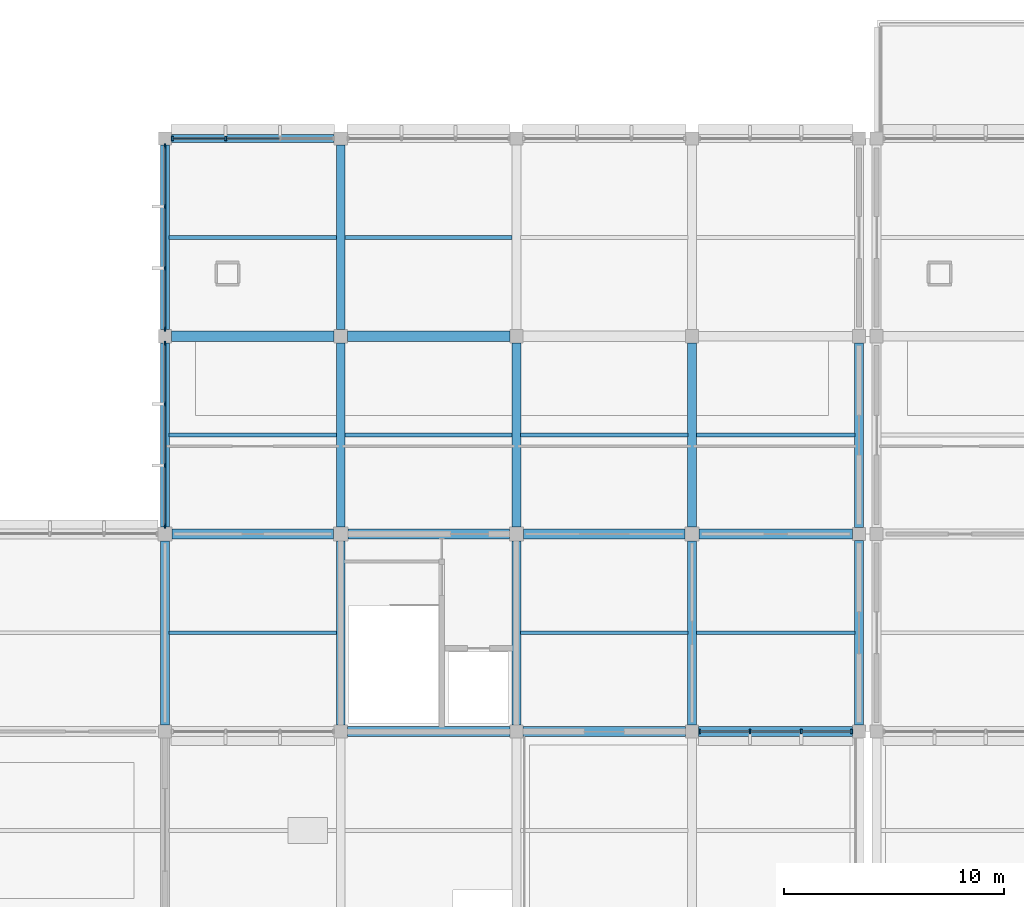
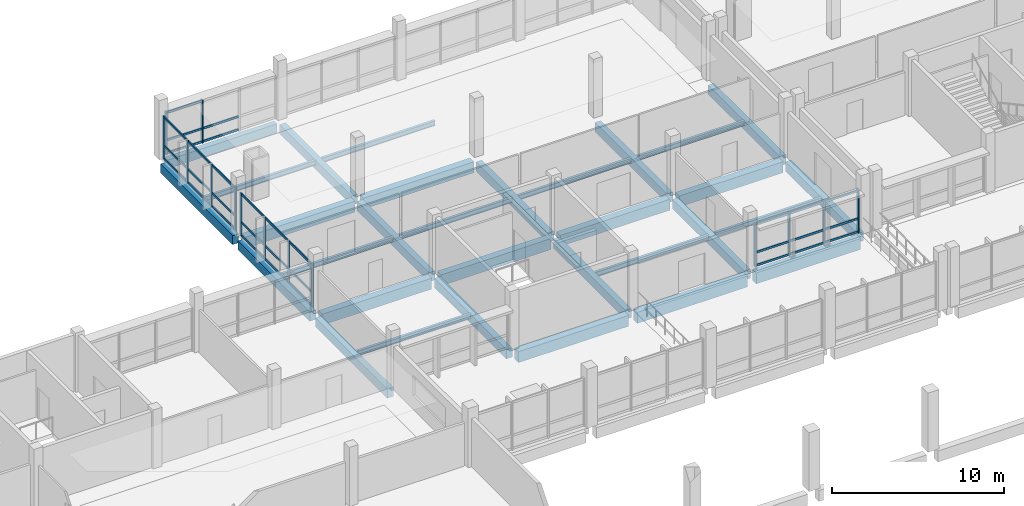
# One storey, part 21 of 70: 46 members, 31 beams, 4 elements without a shape of their own.
"""IFC4 building model written with IfcOpenShell, lengths in metres."""

from ifc_helpers import new_model, si_unit, direction, frame, origin, origin_2d, place, context, subcontext, project, spatial, rectangle, i_section, extrude, material, material_profile, profile_set, type_object, element, aggregate, save


model = new_model("IFC4")

# Units and contexts
model_context = context("Model", 3, precision=1e-05, world=origin(), true_north=direction((0.0, 1.0)))
body_context = subcontext(model_context, "Body", "Model", "MODEL_VIEW")
ifc_project = project(units=[si_unit("LENGTHUNIT", "METRE"), si_unit("AREAUNIT", "SQUARE_METRE"), si_unit("VOLUMEUNIT", "CUBIC_METRE"), si_unit("PLANEANGLEUNIT", "RADIAN"), si_unit("MASSUNIT", "GRAM", prefix="KILO"), si_unit("THERMODYNAMICTEMPERATUREUNIT", "KELVIN"), si_unit("POWERUNIT", "WATT")], contexts=[model_context])

# Site, building, storey
site_placement = place(None, origin())
site = spatial("IfcSite", under=ifc_project, at=site_placement, CompositionType="ELEMENT")
building_placement = place(site_placement, origin())
building = spatial("IfcBuilding", under=site, at=building_placement, Name="Kronsvod Quay Wholesale Market", CompositionType="ELEMENT")
storey_placement = place(building_placement, frame((0.0, 0.0, 9.0)))
storey = spatial("IfcBuildingStorey", under=building, at=storey_placement, Name="L02", CompositionType="ELEMENT", Elevation=9.0)

# Beams
ifc_material_1 = material(Name="Precast concrete C40/50", Category="concrete")
ifc_material_profile_1 = material_profile(ifc_material_1, rectangle(XDim=0.39990234375, YDim=0.64990234375, at=origin_2d()), Name="PCB400x650")
ifc_profile_set_1 = profile_set([ifc_material_profile_1], Name="Precast concrete C40/50")
beam_type_1 = type_object("IfcBeamType", Name="Beam_PCB400x650", PredefinedType="BEAM", material=ifc_profile_set_1)
for number, where, z_axis, x_axis, name in (
    (1, (32.0, 99.300048828125, -0.635009765625), (0.0, 1.0, 0.0), (-1.0, 0.0, 0.0), "BMY-L02-320-990"),
    (2, (32.0, 108.324951171875, -0.635009765625), (0.0, 1.0, 0.0), (-1.0, 0.0, 0.0), "BMY-L02-320-1080"),
):
    element("IfcBeam", number, at=place(storey_placement, frame(where, z_axis=z_axis, x_axis=x_axis)), inside=storey, type_object=beam_type_1, Name=name, PredefinedType="BEAM", context=body_context, shape_type="SweptSolid", body=[
        extrude(rectangle(XDim=0.39990234375, YDim=0.64990234375, at=origin_2d()), origin(), (0.0, 0.0, 1.0), 8.375),
    ])
beam_1_placement = place(storey_placement, frame((32.0, 117.300048828125, -0.635009765625), z_axis=(0.0, 1.0, 0.0), x_axis=(-1.0, 0.0, 0.0)))
element("IfcBeam", 3, at=beam_1_placement, inside=storey, type_object=beam_type_1, Name="BMY-L02-320-1170", PredefinedType="BEAM", context=body_context, shape_type="SweptSolid", body=[
    extrude(rectangle(XDim=0.39990234375, YDim=0.64990234375, at=origin_2d()), origin(), (0.0, 0.0, 1.0), 8.39990234375),
])
for number, where, z_axis, x_axis, name in (
    (4, (40.0, 99.300048828125, -0.635009765625), (0.0, 1.0, 0.0), (-1.0, 0.0, 0.0), "BMY-L02-400-990"),
    (5, (40.0, 108.324951171875, -0.635009765625), (0.0, 1.0, 0.0), (-1.0, 0.0, 0.0), "BMY-L02-400-1080"),
):
    element("IfcBeam", number, at=place(storey_placement, frame(where, z_axis=z_axis, x_axis=x_axis)), inside=storey, type_object=beam_type_1, Name=name, PredefinedType="BEAM", context=body_context, shape_type="SweptSolid", body=[
        extrude(rectangle(XDim=0.39990234375, YDim=0.64990234375, at=origin_2d()), origin(), (0.0, 0.0, 1.0), 8.375),
    ])
beam_2_placement = place(storey_placement, frame((40.0, 117.300048828125, -0.635009765625), z_axis=(0.0, 1.0, 0.0), x_axis=(-1.0, 0.0, 0.0)))
element("IfcBeam", 6, at=beam_2_placement, inside=storey, type_object=beam_type_1, Name="BMY-L02-400-1170", PredefinedType="BEAM", context=body_context, shape_type="SweptSolid", body=[
    extrude(rectangle(XDim=0.39990234375, YDim=0.64990234375, at=origin_2d()), origin(), (0.0, 0.0, 1.0), 8.39990234375),
])
for number, where, z_axis, x_axis, name in (
    (7, (48.0, 99.300048828125, -0.635009765625), (0.0, 1.0, 0.0), (-1.0, 0.0, 0.0), "BMY-L02-480-990"),
    (8, (48.0, 108.324951171875, -0.635009765625), (0.0, 1.0, 0.0), (-1.0, 0.0, 0.0), "BMY-L02-480-1080"),
    (9, (56.0, 99.300048828125, -0.635009765625), (0.0, 1.0, 0.0), (-1.0, 0.0, 0.0), "BMY-L02-560-990"),
    (10, (56.0, 108.324951171875, -0.635009765625), (0.0, 1.0, 0.0), (-1.0, 0.0, 0.0), "BMY-L02-560-1080"),
):
    element("IfcBeam", number, at=place(storey_placement, frame(where, z_axis=z_axis, x_axis=x_axis)), inside=storey, type_object=beam_type_1, Name=name, PredefinedType="BEAM", context=body_context, shape_type="SweptSolid", body=[
        extrude(rectangle(XDim=0.39990234375, YDim=0.64990234375, at=origin_2d()), origin(), (0.0, 0.0, 1.0), 8.375),
    ])
for number, where, z_axis, x_axis, name in (
    (11, (63.60009765625, 99.300048828125, -0.635009765625), (0.0, 1.0, 0.0), (-1.0, 0.0, 0.0), "BMY-L02-636-990"),
    (12, (63.60009765625, 108.300048828125, -0.635009765625), (0.0, 1.0, 0.0), (-1.0, 0.0, 0.0), "BMY-L02-636-1080"),
):
    element("IfcBeam", number, at=place(storey_placement, frame(where, z_axis=z_axis, x_axis=x_axis)), inside=storey, type_object=beam_type_1, Name=name, PredefinedType="BEAM", context=body_context, shape_type="SweptSolid", body=[
        extrude(rectangle(XDim=0.39990234375, YDim=0.64990234375, at=origin_2d()), origin(), (0.0, 0.0, 1.0), 8.39990234375),
    ])
ifc_material_2 = material(Name="Precast concrete C40/50", Category="concrete")
ifc_material_profile_2 = material_profile(ifc_material_2, rectangle(XDim=0.4599609375, YDim=0.780029296875, at=origin_2d()), Name="PB-03")
ifc_profile_set_2 = profile_set([ifc_material_profile_2], Name="Precast concrete C40/50")
beam_type_2 = type_object("IfcBeamType", Name="Beam_PCB460x780", PredefinedType="BEAM", material=ifc_profile_set_2)
for number, where, z_axis, x_axis, name in (
    (13, (40.300048828125, 99.0, -0.699951171875), (1.0, 0.0, 0.0), (0.0, 1.0, 0.0), "BMX-L02-400-990"),
    (14, (48.300048828125, 99.0, -0.699951171875), (1.0, 0.0, 0.0), (0.0, 1.0, 0.0), "BMX-L02-480-990"),
):
    element("IfcBeam", number, at=place(storey_placement, frame(where, z_axis=z_axis, x_axis=x_axis)), inside=storey, type_object=beam_type_2, Name=name, PredefinedType="BEAM", context=body_context, shape_type="SweptSolid", body=[
        extrude(rectangle(XDim=0.4599609375, YDim=0.780029296875, at=origin_2d()), origin(), (0.0, 0.0, 1.0), 7.39990234375),
    ])
beam_3_placement = place(storey_placement, frame((56.300048828125, 99.0, -0.699951171875), z_axis=(1.0, 0.0, 0.0), x_axis=(0.0, 1.0, 0.0)))
element("IfcBeam", 15, at=beam_3_placement, inside=storey, type_object=beam_type_2, Name="BMX-L02-560-990", PredefinedType="BEAM", context=body_context, shape_type="SweptSolid", body=[
    extrude(rectangle(XDim=0.4599609375, YDim=0.780029296875, at=origin_2d()), origin(), (0.0, 0.0, 1.0), 7.0),
])
for number, where, z_axis, x_axis, name in (
    (16, (32.324951171875, 108.0, -0.699951171875), (1.0, 0.0, 0.0), (0.0, 1.0, 0.0), "BMX-L02-320-1080"),
    (17, (40.324951171875, 108.0, -0.699951171875), (1.0, 0.0, 0.0), (0.0, 1.0, 0.0), "BMX-L02-400-1080"),
    (18, (48.324951171875, 108.0, -0.699951171875), (1.0, 0.0, 0.0), (0.0, 1.0, 0.0), "BMX-L02-480-1080"),
):
    element("IfcBeam", number, at=place(storey_placement, frame(where, z_axis=z_axis, x_axis=x_axis)), inside=storey, type_object=beam_type_2, Name=name, PredefinedType="BEAM", context=body_context, shape_type="SweptSolid", body=[
        extrude(rectangle(XDim=0.4599609375, YDim=0.780029296875, at=origin_2d()), origin(), (0.0, 0.0, 1.0), 7.35009765625),
    ])
beam_4_placement = place(storey_placement, frame((56.324951171875, 108.0, -0.699951171875), z_axis=(1.0, 0.0, 0.0), x_axis=(0.0, 1.0, 0.0)))
element("IfcBeam", 19, at=beam_4_placement, inside=storey, type_object=beam_type_2, Name="BMX-L02-560-1080", PredefinedType="BEAM", context=body_context, shape_type="SweptSolid", body=[
    extrude(rectangle(XDim=0.4599609375, YDim=0.780029296875, at=origin_2d()), origin(), (0.0, 0.0, 1.0), 6.97509765625),
])
for number, where, z_axis, x_axis, name in (
    (20, (32.300048828125, 117.0, -0.699951171875), (1.0, 0.0, 0.0), (0.0, 1.0, 0.0), "BMX-L02-320-1170"),
    (21, (40.300048828125, 117.0, -0.699951171875), (1.0, 0.0, 0.0), (0.0, 1.0, 0.0), "BMX-L02-400-1170"),
):
    element("IfcBeam", number, at=place(storey_placement, frame(where, z_axis=z_axis, x_axis=x_axis)), inside=storey, type_object=beam_type_2, Name=name, PredefinedType="BEAM", context=body_context, shape_type="SweptSolid", body=[
        extrude(rectangle(XDim=0.4599609375, YDim=0.780029296875, at=origin_2d()), origin(), (0.0, 0.0, 1.0), 7.39990234375),
    ])
ifc_material_3 = material(Name="Steel S355", Category="steel")
ifc_material_profile_3 = material_profile(ifc_material_3, i_section(OverallWidth=0.174072265625, OverallDepth=0.345947265625, WebThickness=0.006103515625, FlangeThickness=0.009033203125, FilletRadius=0.013916015625, at=origin_2d()), Name="35B1")
ifc_profile_set_3 = profile_set([ifc_material_profile_3], Name="Steel S355")
beam_type_3 = type_object("IfcBeamType", Name="Joist_Steel35B1", PredefinedType="JOIST", material=ifc_profile_set_3)
for number, where, z_axis, x_axis, name in (
    (22, (32.195068359375, 103.5, -0.423095703125), (1.0, 0.0, 0.0), (0.0, 1.0, 0.0), "JSTX-L02-320-990"),
    (23, (32.195068359375, 112.5, -0.423095703125), (1.0, 0.0, 0.0), (0.0, 1.0, 0.0), "JSTX-L02-320-1080"),
    (24, (32.195068359375, 121.5, -0.423095703125), (1.0, 0.0, 0.0), (0.0, 1.0, 0.0), "JSTX-L02-320-1170"),
    (25, (40.195068359375, 112.5, -0.423095703125), (1.0, 0.0, 0.0), (0.0, 1.0, 0.0), "JSTX-L02-400-1080"),
    (26, (40.195068359375, 121.5, -0.423095703125), (1.0, 0.0, 0.0), (0.0, 1.0, 0.0), "JSTX-L02-400-1170"),
    (27, (48.195068359375, 103.5, -0.423095703125), (1.0, 0.0, 0.0), (0.0, 1.0, 0.0), "JSTX-L02-480-990"),
    (28, (48.195068359375, 112.5, -0.423095703125), (1.0, 0.0, 0.0), (0.0, 1.0, 0.0), "JSTX-L02-480-1080"),
):
    element("IfcBeam", number, at=place(storey_placement, frame(where, z_axis=z_axis, x_axis=x_axis)), inside=storey, type_object=beam_type_3, Name=name, PredefinedType="JOIST", context=body_context, shape_type="SweptSolid", body=[
        extrude(i_section(OverallWidth=0.174072265625, OverallDepth=0.345947265625, WebThickness=0.006103515625, FlangeThickness=0.009033203125, FilletRadius=0.013916015625, at=origin_2d()), origin(), (0.0, 0.0, 1.0), 7.60986328125),
    ])
for number, where, z_axis, x_axis, name in (
    (29, (56.195068359375, 103.5, -0.423095703125), (1.0, 0.0, 0.0), (0.0, 1.0, 0.0), "JSTX-L02-560-990"),
    (30, (56.195068359375, 112.5, -0.423095703125), (1.0, 0.0, 0.0), (0.0, 1.0, 0.0), "JSTX-L02-560-1080"),
):
    element("IfcBeam", number, at=place(storey_placement, frame(where, z_axis=z_axis, x_axis=x_axis)), inside=storey, type_object=beam_type_3, Name=name, PredefinedType="JOIST", context=body_context, shape_type="SweptSolid", body=[
        extrude(i_section(OverallWidth=0.174072265625, OverallDepth=0.345947265625, WebThickness=0.006103515625, FlangeThickness=0.009033203125, FilletRadius=0.013916015625, at=origin_2d()), origin(), (0.0, 0.0, 1.0), 7.2099609375),
    ])

# Curtain wall, members
ifc_material_4 = material(Name="Thermally broken aluminium and triple low-E glazing", Category="aluminium")
curtain_wall_type_1 = type_object("IfcCurtainWallType", Name="CW_Harbour80x33", PredefinedType="NOTDEFINED", material=ifc_material_4)
curtain_wall_1_placement = place(storey_placement, origin())
curtain_wall_1 = element("IfcCurtainWall", 31, at=curtain_wall_1_placement, inside=storey, type_object=curtain_wall_type_1, Name="CWGX-L02-560-990", PredefinedType="NOTDEFINED")
ifc_material_5 = material(Name="Anodised aluminium", Category="aluminium")
ifc_material_profile_4 = material_profile(ifc_material_5, rectangle(XDim=0.074951171875, YDim=0.199951171875, at=origin_2d()), Name="ALUM75x200")
ifc_profile_set_4 = profile_set([ifc_material_profile_4], Name="Anodised aluminium")
member_type_1 = type_object("IfcMemberType", Name="Mullion_ALU75x200", PredefinedType="MULLION", material=ifc_profile_set_4)
member_1_placement = place(storey_placement, frame((56.33251953125, 99.0, 0.0), z_axis=(0.0, 0.0, 1.0), x_axis=(1.0, 0.0, 0.0)))
member_1 = element("IfcMember", 32, at=member_1_placement, type_object=member_type_1, Name="CWGX-L02-560-990-M1", PredefinedType="MULLION", context=body_context, shape_type="SweptSolid", body=[
    extrude(rectangle(XDim=0.074951171875, YDim=0.199951171875, at=origin_2d()), origin(), (0.0, 0.0, 1.0), 3.050048828125),
])
member_2_placement = place(storey_placement, frame((58.631591796875, 99.0, 0.0), z_axis=(0.0, 0.0, 1.0), x_axis=(1.0, 0.0, 0.0)))
member_2 = element("IfcMember", 33, at=member_2_placement, type_object=member_type_1, Name="CWGX-L02-560-990-M2", PredefinedType="MULLION", context=body_context, shape_type="SweptSolid", body=[
    extrude(rectangle(XDim=0.074951171875, YDim=0.199951171875, at=origin_2d()), origin(), (0.0, 0.0, 1.0), 3.050048828125),
])
member_3_placement = place(storey_placement, frame((60.96826171875, 99.0, 0.0), z_axis=(0.0, 0.0, 1.0), x_axis=(1.0, 0.0, 0.0)))
member_3 = element("IfcMember", 34, at=member_3_placement, type_object=member_type_1, Name="CWGX-L02-560-990-M3", PredefinedType="MULLION", context=body_context, shape_type="SweptSolid", body=[
    extrude(rectangle(XDim=0.074951171875, YDim=0.199951171875, at=origin_2d()), origin(), (0.0, 0.0, 1.0), 3.050048828125),
])
member_4_placement = place(storey_placement, frame((63.267578125, 99.0, 0.0), z_axis=(0.0, 0.0, 1.0), x_axis=(1.0, 0.0, 0.0)))
member_4 = element("IfcMember", 35, at=member_4_placement, type_object=member_type_1, Name="CWGX-L02-560-990-M4", PredefinedType="MULLION", context=body_context, shape_type="SweptSolid", body=[
    extrude(rectangle(XDim=0.074951171875, YDim=0.199951171875, at=origin_2d()), origin(), (0.0, 0.0, 1.0), 3.050048828125),
])

curtain_wall_2_placement = place(storey_placement, origin())
curtain_wall_2 = element("IfcCurtainWall", 36, at=curtain_wall_2_placement, inside=storey, type_object=curtain_wall_type_1, Name="CWGX-L02-320-1260", PredefinedType="NOTDEFINED")
member_5_placement = place(storey_placement, frame((34.764892578125, 126.0, 0.0), z_axis=(0.0, 0.0, 1.0), x_axis=(1.0, 0.0, 0.0)))
member_5 = element("IfcMember", 37, at=member_5_placement, type_object=member_type_1, Name="CWGX-L02-320-1260-M3", PredefinedType="MULLION", context=body_context, shape_type="SweptSolid", body=[
    extrude(rectangle(XDim=0.074951171875, YDim=0.199951171875, at=origin_2d()), origin(), (0.0, 0.0, 1.0), 3.050048828125),
])
member_6_placement = place(storey_placement, frame((32.33251953125, 126.0, 0.0), z_axis=(0.0, 0.0, 1.0), x_axis=(1.0, 0.0, 0.0)))
member_6 = element("IfcMember", 38, at=member_6_placement, type_object=member_type_1, Name="CWGX-L02-320-1260-M4", PredefinedType="MULLION", context=body_context, shape_type="SweptSolid", body=[
    extrude(rectangle(XDim=0.074951171875, YDim=0.199951171875, at=origin_2d()), origin(), (0.0, 0.0, 1.0), 3.050048828125),
])

ifc_material_6 = material(Name="Thermally broken aluminium and triple low-E glazing", Category="aluminium")
curtain_wall_type_2 = type_object("IfcCurtainWallType", Name="CW_Wing90x33", PredefinedType="NOTDEFINED", material=ifc_material_6)
curtain_wall_3_placement = place(storey_placement, origin())
curtain_wall_3 = element("IfcCurtainWall", 39, at=curtain_wall_3_placement, inside=storey, type_object=curtain_wall_type_2, Name="CWGY-L02-320-1080", PredefinedType="NOTDEFINED")
member_7_placement = place(storey_placement, frame((32.0, 116.66748046875, 0.0), z_axis=(0.0, 0.0, 1.0), x_axis=(1.0, 0.0, 0.0)))
member_7 = element("IfcMember", 40, at=member_7_placement, type_object=member_type_1, Name="CWGY-L02-320-1080-M1", PredefinedType="MULLION", context=body_context, shape_type="SweptSolid", body=[
    extrude(rectangle(XDim=0.074951171875, YDim=0.199951171875, at=origin_2d()), origin(), (0.0, 0.0, 1.0), 3.050048828125),
])
member_8_placement = place(storey_placement, frame((32.0, 113.909912109375, 0.0), z_axis=(0.0, 0.0, 1.0), x_axis=(1.0, 0.0, 0.0)))
member_8 = element("IfcMember", 41, at=member_8_placement, type_object=member_type_1, Name="CWGY-L02-320-1080-M2", PredefinedType="MULLION", context=body_context, shape_type="SweptSolid", body=[
    extrude(rectangle(XDim=0.074951171875, YDim=0.199951171875, at=origin_2d()), origin(), (0.0, 0.0, 1.0), 3.050048828125),
])
member_9_placement = place(storey_placement, frame((32.0, 111.114990234375, 0.0), z_axis=(0.0, 0.0, 1.0), x_axis=(1.0, 0.0, 0.0)))
member_9 = element("IfcMember", 42, at=member_9_placement, type_object=member_type_1, Name="CWGY-L02-320-1080-M3", PredefinedType="MULLION", context=body_context, shape_type="SweptSolid", body=[
    extrude(rectangle(XDim=0.074951171875, YDim=0.199951171875, at=origin_2d()), origin(), (0.0, 0.0, 1.0), 3.050048828125),
])
member_10_placement = place(storey_placement, frame((32.0, 108.357421875, 0.0), z_axis=(0.0, 0.0, 1.0), x_axis=(1.0, 0.0, 0.0)))
member_10 = element("IfcMember", 43, at=member_10_placement, type_object=member_type_1, Name="CWGY-L02-320-1080-M4", PredefinedType="MULLION", context=body_context, shape_type="SweptSolid", body=[
    extrude(rectangle(XDim=0.074951171875, YDim=0.199951171875, at=origin_2d()), origin(), (0.0, 0.0, 1.0), 3.050048828125),
])

curtain_wall_4_placement = place(storey_placement, origin())
curtain_wall_4 = element("IfcCurtainWall", 44, at=curtain_wall_4_placement, inside=storey, type_object=curtain_wall_type_2, Name="CWGY-L02-320-1170", PredefinedType="NOTDEFINED")
member_11_placement = place(storey_placement, frame((32.0, 125.66748046875, 0.0), z_axis=(0.0, 0.0, 1.0), x_axis=(1.0, 0.0, 0.0)))
member_11 = element("IfcMember", 45, at=member_11_placement, type_object=member_type_1, Name="CWGY-L02-320-1170-M1", PredefinedType="MULLION", context=body_context, shape_type="SweptSolid", body=[
    extrude(rectangle(XDim=0.074951171875, YDim=0.199951171875, at=origin_2d()), origin(), (0.0, 0.0, 1.0), 3.050048828125),
])
member_12_placement = place(storey_placement, frame((32.0, 122.901611328125, 0.0), z_axis=(0.0, 0.0, 1.0), x_axis=(1.0, 0.0, 0.0)))
member_12 = element("IfcMember", 46, at=member_12_placement, type_object=member_type_1, Name="CWGY-L02-320-1170-M2", PredefinedType="MULLION", context=body_context, shape_type="SweptSolid", body=[
    extrude(rectangle(XDim=0.074951171875, YDim=0.199951171875, at=origin_2d()), origin(), (0.0, 0.0, 1.0), 3.050048828125),
])
member_13_placement = place(storey_placement, frame((32.0, 120.098388671875, 0.0), z_axis=(0.0, 0.0, 1.0), x_axis=(1.0, 0.0, 0.0)))
member_13 = element("IfcMember", 47, at=member_13_placement, type_object=member_type_1, Name="CWGY-L02-320-1170-M3", PredefinedType="MULLION", context=body_context, shape_type="SweptSolid", body=[
    extrude(rectangle(XDim=0.074951171875, YDim=0.199951171875, at=origin_2d()), origin(), (0.0, 0.0, 1.0), 3.050048828125),
])
member_14_placement = place(storey_placement, frame((32.0, 117.33251953125, 0.0), z_axis=(0.0, 0.0, 1.0), x_axis=(1.0, 0.0, 0.0)))
member_14 = element("IfcMember", 48, at=member_14_placement, type_object=member_type_1, Name="CWGY-L02-320-1170-M4", PredefinedType="MULLION", context=body_context, shape_type="SweptSolid", body=[
    extrude(rectangle(XDim=0.074951171875, YDim=0.199951171875, at=origin_2d()), origin(), (0.0, 0.0, 1.0), 3.050048828125),
])

# Beam
ifc_material_7 = material(Name="Precast concrete C40/50", Category="concrete")
ifc_material_profile_5 = material_profile(ifc_material_7, rectangle(XDim=0.360107421875, YDim=0.6201171875, at=origin_2d()), Name="SPB-02")
ifc_profile_set_5 = profile_set([ifc_material_profile_5], Name="Precast concrete C40/50")
beam_type_4 = type_object("IfcBeamType", Name="Spandrel_PCSP360x620", PredefinedType="SPANDREL", material=ifc_profile_set_5)
beam_5_placement = place(storey_placement, frame((32.300048828125, 126.0, -0.6201171875), z_axis=(1.0, 0.0, 0.0), x_axis=(0.0, 1.0, 0.0)))
element("IfcBeam", 49, at=beam_5_placement, inside=storey, type_object=beam_type_4, Name="BMX-L02-320-1260", PredefinedType="SPANDREL", context=body_context, shape_type="SweptSolid", body=[
    extrude(rectangle(XDim=0.360107421875, YDim=0.6201171875, at=origin_2d()), origin(), (0.0, 0.0, 1.0), 7.39990234375),
])

# Member
ifc_material_8 = material(Name="Anodised aluminium", Category="aluminium")
ifc_material_profile_6 = material_profile(ifc_material_8, rectangle(XDim=0.074951171875, YDim=0.14990234375, at=origin_2d()), Name="ALUT75x150")
ifc_profile_set_6 = profile_set([ifc_material_profile_6], Name="Anodised aluminium")
member_type_2 = type_object("IfcMemberType", Name="Transom_ALU75x150", PredefinedType="USERDEFINED", material=ifc_profile_set_6)
member_15_placement = place(storey_placement, frame((56.3701171875, 99.0, 0.074951171875), z_axis=(1.0, 0.0, 0.0), x_axis=(0.0, 1.0, 0.0)))
member_15 = element("IfcMember", 50, at=member_15_placement, type_object=member_type_2, Name="CWGX-L02-560-990-T1B1", ObjectType="TRANSOM", PredefinedType="USERDEFINED", context=body_context, shape_type="SweptSolid", body=[
    extrude(rectangle(XDim=0.074951171875, YDim=0.14990234375, at=origin_2d()), origin(), (0.0, 0.0, 1.0), 2.22412109375),
])

member_16_placement = place(storey_placement, frame((58.669189453125, 99.0, 0.074951171875), z_axis=(1.0, 0.0, 0.0), x_axis=(0.0, 1.0, 0.0)))
member_16 = element("IfcMember", 51, at=member_16_placement, type_object=member_type_2, Name="CWGX-L02-560-990-T1B2", ObjectType="TRANSOM", PredefinedType="USERDEFINED", context=body_context, shape_type="SweptSolid", body=[
    extrude(rectangle(XDim=0.074951171875, YDim=0.14990234375, at=origin_2d()), origin(), (0.0, 0.0, 1.0), 2.26171875),
])

member_17_placement = place(storey_placement, frame((61.005859375, 99.0, 0.074951171875), z_axis=(1.0, 0.0, 0.0), x_axis=(0.0, 1.0, 0.0)))
member_17 = element("IfcMember", 52, at=member_17_placement, type_object=member_type_2, Name="CWGX-L02-560-990-T1B3", ObjectType="TRANSOM", PredefinedType="USERDEFINED", context=body_context, shape_type="SweptSolid", body=[
    extrude(rectangle(XDim=0.074951171875, YDim=0.14990234375, at=origin_2d()), origin(), (0.0, 0.0, 1.0), 2.22412109375),
])

member_18_placement = place(storey_placement, frame((56.3701171875, 99.0, 1.0), z_axis=(1.0, 0.0, 0.0), x_axis=(0.0, 1.0, 0.0)))
member_18 = element("IfcMember", 53, at=member_18_placement, type_object=member_type_2, Name="CWGX-L02-560-990-T2B1", ObjectType="TRANSOM", PredefinedType="USERDEFINED", context=body_context, shape_type="SweptSolid", body=[
    extrude(rectangle(XDim=0.074951171875, YDim=0.14990234375, at=origin_2d()), origin(), (0.0, 0.0, 1.0), 2.22412109375),
])

member_19_placement = place(storey_placement, frame((58.669189453125, 99.0, 1.0), z_axis=(1.0, 0.0, 0.0), x_axis=(0.0, 1.0, 0.0)))
member_19 = element("IfcMember", 54, at=member_19_placement, type_object=member_type_2, Name="CWGX-L02-560-990-T2B2", ObjectType="TRANSOM", PredefinedType="USERDEFINED", context=body_context, shape_type="SweptSolid", body=[
    extrude(rectangle(XDim=0.074951171875, YDim=0.14990234375, at=origin_2d()), origin(), (0.0, 0.0, 1.0), 2.26171875),
])

member_20_placement = place(storey_placement, frame((61.005859375, 99.0, 1.0), z_axis=(1.0, 0.0, 0.0), x_axis=(0.0, 1.0, 0.0)))
member_20 = element("IfcMember", 55, at=member_20_placement, type_object=member_type_2, Name="CWGX-L02-560-990-T2B3", ObjectType="TRANSOM", PredefinedType="USERDEFINED", context=body_context, shape_type="SweptSolid", body=[
    extrude(rectangle(XDim=0.074951171875, YDim=0.14990234375, at=origin_2d()), origin(), (0.0, 0.0, 1.0), 2.22412109375),
])

member_21_placement = place(storey_placement, frame((56.3701171875, 99.0, 2.97509765625), z_axis=(1.0, 0.0, 0.0), x_axis=(0.0, 1.0, 0.0)))
member_21 = element("IfcMember", 56, at=member_21_placement, type_object=member_type_2, Name="CWGX-L02-560-990-T3B1", ObjectType="TRANSOM", PredefinedType="USERDEFINED", context=body_context, shape_type="SweptSolid", body=[
    extrude(rectangle(XDim=0.074951171875, YDim=0.14990234375, at=origin_2d()), origin(), (0.0, 0.0, 1.0), 2.22412109375),
])

member_22_placement = place(storey_placement, frame((58.669189453125, 99.0, 2.97509765625), z_axis=(1.0, 0.0, 0.0), x_axis=(0.0, 1.0, 0.0)))
member_22 = element("IfcMember", 57, at=member_22_placement, type_object=member_type_2, Name="CWGX-L02-560-990-T3B2", ObjectType="TRANSOM", PredefinedType="USERDEFINED", context=body_context, shape_type="SweptSolid", body=[
    extrude(rectangle(XDim=0.074951171875, YDim=0.14990234375, at=origin_2d()), origin(), (0.0, 0.0, 1.0), 2.26171875),
])

member_23_placement = place(storey_placement, frame((61.005859375, 99.0, 2.97509765625), z_axis=(1.0, 0.0, 0.0), x_axis=(0.0, 1.0, 0.0)))
member_23 = element("IfcMember", 58, at=member_23_placement, type_object=member_type_2, Name="CWGX-L02-560-990-T3B3", ObjectType="TRANSOM", PredefinedType="USERDEFINED", context=body_context, shape_type="SweptSolid", body=[
    extrude(rectangle(XDim=0.074951171875, YDim=0.14990234375, at=origin_2d()), origin(), (0.0, 0.0, 1.0), 2.22412109375),
])

aggregate(curtain_wall_1, [member_1, member_2, member_3, member_4, member_15, member_16, member_17, member_18, member_19, member_20, member_21, member_22, member_23])

member_24_placement = place(storey_placement, frame((37.197509765625, 126.0, 0.074951171875), z_axis=(-1.0, 0.0, 0.0), x_axis=(0.0, -1.0, 0.0)))
member_24 = element("IfcMember", 59, at=member_24_placement, type_object=member_type_2, Name="CWGX-L02-320-1260-T1B2", ObjectType="TRANSOM", PredefinedType="USERDEFINED", context=body_context, shape_type="SweptSolid", body=[
    extrude(rectangle(XDim=0.074951171875, YDim=0.14990234375, at=origin_2d()), origin(), (0.0, 0.0, 1.0), 2.39501953125),
])

member_25_placement = place(storey_placement, frame((34.7275390625, 126.0, 0.074951171875), z_axis=(-1.0, 0.0, 0.0), x_axis=(0.0, -1.0, 0.0)))
member_25 = element("IfcMember", 60, at=member_25_placement, type_object=member_type_2, Name="CWGX-L02-320-1260-T1B3", ObjectType="TRANSOM", PredefinedType="USERDEFINED", context=body_context, shape_type="SweptSolid", body=[
    extrude(rectangle(XDim=0.074951171875, YDim=0.14990234375, at=origin_2d()), origin(), (0.0, 0.0, 1.0), 2.357421875),
])

member_26_placement = place(storey_placement, frame((37.197509765625, 126.0, 1.0), z_axis=(-1.0, 0.0, 0.0), x_axis=(0.0, -1.0, 0.0)))
member_26 = element("IfcMember", 61, at=member_26_placement, type_object=member_type_2, Name="CWGX-L02-320-1260-T2B2", ObjectType="TRANSOM", PredefinedType="USERDEFINED", context=body_context, shape_type="SweptSolid", body=[
    extrude(rectangle(XDim=0.074951171875, YDim=0.14990234375, at=origin_2d()), origin(), (0.0, 0.0, 1.0), 2.39501953125),
])

member_27_placement = place(storey_placement, frame((34.7275390625, 126.0, 1.0), z_axis=(-1.0, 0.0, 0.0), x_axis=(0.0, -1.0, 0.0)))
member_27 = element("IfcMember", 62, at=member_27_placement, type_object=member_type_2, Name="CWGX-L02-320-1260-T2B3", ObjectType="TRANSOM", PredefinedType="USERDEFINED", context=body_context, shape_type="SweptSolid", body=[
    extrude(rectangle(XDim=0.074951171875, YDim=0.14990234375, at=origin_2d()), origin(), (0.0, 0.0, 1.0), 2.357421875),
])

member_28_placement = place(storey_placement, frame((34.7275390625, 126.0, 2.97509765625), z_axis=(-1.0, 0.0, 0.0), x_axis=(0.0, -1.0, 0.0)))
member_28 = element("IfcMember", 63, at=member_28_placement, type_object=member_type_2, Name="CWGX-L02-320-1260-T3B3", ObjectType="TRANSOM", PredefinedType="USERDEFINED", context=body_context, shape_type="SweptSolid", body=[
    extrude(rectangle(XDim=0.074951171875, YDim=0.14990234375, at=origin_2d()), origin(), (0.0, 0.0, 1.0), 2.357421875),
])

aggregate(curtain_wall_2, [member_5, member_6, member_24, member_25, member_26, member_27, member_28])

member_29_placement = place(storey_placement, frame((32.0, 116.6298828125, 0.074951171875), z_axis=(0.0, -1.0, 0.0), x_axis=(1.0, 0.0, 0.0)))
member_29 = element("IfcMember", 64, at=member_29_placement, type_object=member_type_2, Name="CWGY-L02-320-1080-T1B1", ObjectType="TRANSOM", PredefinedType="USERDEFINED", context=body_context, shape_type="SweptSolid", body=[
    extrude(rectangle(XDim=0.074951171875, YDim=0.14990234375, at=origin_2d()), origin(), (0.0, 0.0, 1.0), 2.682373046875),
])

member_30_placement = place(storey_placement, frame((32.0, 113.87255859375, 0.074951171875), z_axis=(0.0, -1.0, 0.0), x_axis=(1.0, 0.0, 0.0)))
member_30 = element("IfcMember", 65, at=member_30_placement, type_object=member_type_2, Name="CWGY-L02-320-1080-T1B2", ObjectType="TRANSOM", PredefinedType="USERDEFINED", context=body_context, shape_type="SweptSolid", body=[
    extrude(rectangle(XDim=0.074951171875, YDim=0.14990234375, at=origin_2d()), origin(), (0.0, 0.0, 1.0), 2.719970703125),
])

member_31_placement = place(storey_placement, frame((32.0, 111.077392578125, 0.074951171875), z_axis=(0.0, -1.0, 0.0), x_axis=(1.0, 0.0, 0.0)))
member_31 = element("IfcMember", 66, at=member_31_placement, type_object=member_type_2, Name="CWGY-L02-320-1080-T1B3", ObjectType="TRANSOM", PredefinedType="USERDEFINED", context=body_context, shape_type="SweptSolid", body=[
    extrude(rectangle(XDim=0.074951171875, YDim=0.14990234375, at=origin_2d()), origin(), (0.0, 0.0, 1.0), 2.682373046875),
])

member_32_placement = place(storey_placement, frame((32.0, 116.6298828125, 1.0), z_axis=(0.0, -1.0, 0.0), x_axis=(1.0, 0.0, 0.0)))
member_32 = element("IfcMember", 67, at=member_32_placement, type_object=member_type_2, Name="CWGY-L02-320-1080-T2B1", ObjectType="TRANSOM", PredefinedType="USERDEFINED", context=body_context, shape_type="SweptSolid", body=[
    extrude(rectangle(XDim=0.074951171875, YDim=0.14990234375, at=origin_2d()), origin(), (0.0, 0.0, 1.0), 2.682373046875),
])

member_33_placement = place(storey_placement, frame((32.0, 113.87255859375, 1.0), z_axis=(0.0, -1.0, 0.0), x_axis=(1.0, 0.0, 0.0)))
member_33 = element("IfcMember", 68, at=member_33_placement, type_object=member_type_2, Name="CWGY-L02-320-1080-T2B2", ObjectType="TRANSOM", PredefinedType="USERDEFINED", context=body_context, shape_type="SweptSolid", body=[
    extrude(rectangle(XDim=0.074951171875, YDim=0.14990234375, at=origin_2d()), origin(), (0.0, 0.0, 1.0), 2.719970703125),
])

member_34_placement = place(storey_placement, frame((32.0, 111.077392578125, 1.0), z_axis=(0.0, -1.0, 0.0), x_axis=(1.0, 0.0, 0.0)))
member_34 = element("IfcMember", 69, at=member_34_placement, type_object=member_type_2, Name="CWGY-L02-320-1080-T2B3", ObjectType="TRANSOM", PredefinedType="USERDEFINED", context=body_context, shape_type="SweptSolid", body=[
    extrude(rectangle(XDim=0.074951171875, YDim=0.14990234375, at=origin_2d()), origin(), (0.0, 0.0, 1.0), 2.682373046875),
])

member_35_placement = place(storey_placement, frame((32.0, 116.6298828125, 2.97509765625), z_axis=(0.0, -1.0, 0.0), x_axis=(1.0, 0.0, 0.0)))
member_35 = element("IfcMember", 70, at=member_35_placement, type_object=member_type_2, Name="CWGY-L02-320-1080-T3B1", ObjectType="TRANSOM", PredefinedType="USERDEFINED", context=body_context, shape_type="SweptSolid", body=[
    extrude(rectangle(XDim=0.074951171875, YDim=0.14990234375, at=origin_2d()), origin(), (0.0, 0.0, 1.0), 2.682373046875),
])

member_36_placement = place(storey_placement, frame((32.0, 113.87255859375, 2.97509765625), z_axis=(0.0, -1.0, 0.0), x_axis=(1.0, 0.0, 0.0)))
member_36 = element("IfcMember", 71, at=member_36_placement, type_object=member_type_2, Name="CWGY-L02-320-1080-T3B2", ObjectType="TRANSOM", PredefinedType="USERDEFINED", context=body_context, shape_type="SweptSolid", body=[
    extrude(rectangle(XDim=0.074951171875, YDim=0.14990234375, at=origin_2d()), origin(), (0.0, 0.0, 1.0), 2.719970703125),
])

member_37_placement = place(storey_placement, frame((32.0, 111.077392578125, 2.97509765625), z_axis=(0.0, -1.0, 0.0), x_axis=(1.0, 0.0, 0.0)))
member_37 = element("IfcMember", 72, at=member_37_placement, type_object=member_type_2, Name="CWGY-L02-320-1080-T3B3", ObjectType="TRANSOM", PredefinedType="USERDEFINED", context=body_context, shape_type="SweptSolid", body=[
    extrude(rectangle(XDim=0.074951171875, YDim=0.14990234375, at=origin_2d()), origin(), (0.0, 0.0, 1.0), 2.682373046875),
])

aggregate(curtain_wall_3, [member_7, member_8, member_9, member_10, member_29, member_30, member_31, member_32, member_33, member_34, member_35, member_36, member_37])

member_38_placement = place(storey_placement, frame((32.0, 125.6298828125, 0.074951171875), z_axis=(0.0, -1.0, 0.0), x_axis=(1.0, 0.0, 0.0)))
member_38 = element("IfcMember", 73, at=member_38_placement, type_object=member_type_2, Name="CWGY-L02-320-1170-T1B1", ObjectType="TRANSOM", PredefinedType="USERDEFINED", context=body_context, shape_type="SweptSolid", body=[
    extrude(rectangle(XDim=0.074951171875, YDim=0.14990234375, at=origin_2d()), origin(), (0.0, 0.0, 1.0), 2.690673828125),
])

member_39_placement = place(storey_placement, frame((32.0, 122.8642578125, 0.074951171875), z_axis=(0.0, -1.0, 0.0), x_axis=(1.0, 0.0, 0.0)))
member_39 = element("IfcMember", 74, at=member_39_placement, type_object=member_type_2, Name="CWGY-L02-320-1170-T1B2", ObjectType="TRANSOM", PredefinedType="USERDEFINED", context=body_context, shape_type="SweptSolid", body=[
    extrude(rectangle(XDim=0.074951171875, YDim=0.14990234375, at=origin_2d()), origin(), (0.0, 0.0, 1.0), 2.728515625),
])

member_40_placement = place(storey_placement, frame((32.0, 120.060791015625, 0.074951171875), z_axis=(0.0, -1.0, 0.0), x_axis=(1.0, 0.0, 0.0)))
member_40 = element("IfcMember", 75, at=member_40_placement, type_object=member_type_2, Name="CWGY-L02-320-1170-T1B3", ObjectType="TRANSOM", PredefinedType="USERDEFINED", context=body_context, shape_type="SweptSolid", body=[
    extrude(rectangle(XDim=0.074951171875, YDim=0.14990234375, at=origin_2d()), origin(), (0.0, 0.0, 1.0), 2.690673828125),
])

member_41_placement = place(storey_placement, frame((32.0, 125.6298828125, 1.0), z_axis=(0.0, -1.0, 0.0), x_axis=(1.0, 0.0, 0.0)))
member_41 = element("IfcMember", 76, at=member_41_placement, type_object=member_type_2, Name="CWGY-L02-320-1170-T2B1", ObjectType="TRANSOM", PredefinedType="USERDEFINED", context=body_context, shape_type="SweptSolid", body=[
    extrude(rectangle(XDim=0.074951171875, YDim=0.14990234375, at=origin_2d()), origin(), (0.0, 0.0, 1.0), 2.690673828125),
])

member_42_placement = place(storey_placement, frame((32.0, 122.8642578125, 1.0), z_axis=(0.0, -1.0, 0.0), x_axis=(1.0, 0.0, 0.0)))
member_42 = element("IfcMember", 77, at=member_42_placement, type_object=member_type_2, Name="CWGY-L02-320-1170-T2B2", ObjectType="TRANSOM", PredefinedType="USERDEFINED", context=body_context, shape_type="SweptSolid", body=[
    extrude(rectangle(XDim=0.074951171875, YDim=0.14990234375, at=origin_2d()), origin(), (0.0, 0.0, 1.0), 2.728515625),
])

member_43_placement = place(storey_placement, frame((32.0, 120.060791015625, 1.0), z_axis=(0.0, -1.0, 0.0), x_axis=(1.0, 0.0, 0.0)))
member_43 = element("IfcMember", 78, at=member_43_placement, type_object=member_type_2, Name="CWGY-L02-320-1170-T2B3", ObjectType="TRANSOM", PredefinedType="USERDEFINED", context=body_context, shape_type="SweptSolid", body=[
    extrude(rectangle(XDim=0.074951171875, YDim=0.14990234375, at=origin_2d()), origin(), (0.0, 0.0, 1.0), 2.690673828125),
])

member_44_placement = place(storey_placement, frame((32.0, 125.6298828125, 2.97509765625), z_axis=(0.0, -1.0, 0.0), x_axis=(1.0, 0.0, 0.0)))
member_44 = element("IfcMember", 79, at=member_44_placement, type_object=member_type_2, Name="CWGY-L02-320-1170-T3B1", ObjectType="TRANSOM", PredefinedType="USERDEFINED", context=body_context, shape_type="SweptSolid", body=[
    extrude(rectangle(XDim=0.074951171875, YDim=0.14990234375, at=origin_2d()), origin(), (0.0, 0.0, 1.0), 2.690673828125),
])

member_45_placement = place(storey_placement, frame((32.0, 122.8642578125, 2.97509765625), z_axis=(0.0, -1.0, 0.0), x_axis=(1.0, 0.0, 0.0)))
member_45 = element("IfcMember", 80, at=member_45_placement, type_object=member_type_2, Name="CWGY-L02-320-1170-T3B2", ObjectType="TRANSOM", PredefinedType="USERDEFINED", context=body_context, shape_type="SweptSolid", body=[
    extrude(rectangle(XDim=0.074951171875, YDim=0.14990234375, at=origin_2d()), origin(), (0.0, 0.0, 1.0), 2.728515625),
])

member_46_placement = place(storey_placement, frame((32.0, 120.060791015625, 2.97509765625), z_axis=(0.0, -1.0, 0.0), x_axis=(1.0, 0.0, 0.0)))
member_46 = element("IfcMember", 81, at=member_46_placement, type_object=member_type_2, Name="CWGY-L02-320-1170-T3B3", ObjectType="TRANSOM", PredefinedType="USERDEFINED", context=body_context, shape_type="SweptSolid", body=[
    extrude(rectangle(XDim=0.074951171875, YDim=0.14990234375, at=origin_2d()), origin(), (0.0, 0.0, 1.0), 2.690673828125),
])

aggregate(curtain_wall_4, [member_11, member_12, member_13, member_14, member_38, member_39, member_40, member_41, member_42, member_43, member_44, member_45, member_46])

save(model, "model.ifc")
